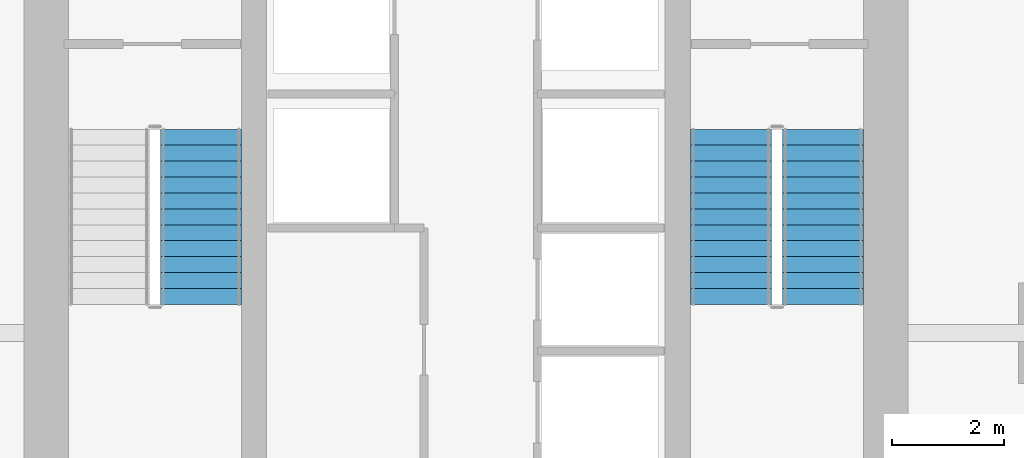
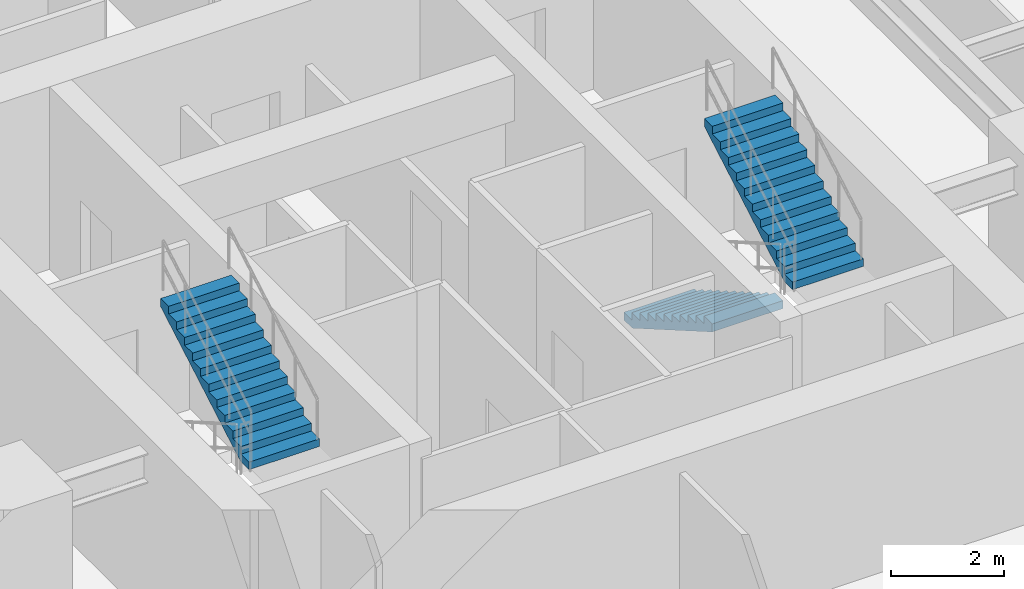
# One storey, part 23 of 25: 3 stair flights, 2 elements without a shape of their own.
"""IFC4 building model written with IfcOpenShell, lengths in metres."""

from ifc_helpers import new_model, si_unit, direction, frame, origin, place, context, subcontext, project, spatial, polyline, outline, extrude, material, type_object, element, aggregate, save


model = new_model("IFC4")

# Units and contexts
model_context = context("Model", 3, precision=1e-05, world=origin(), true_north=direction((0.0, 1.0)))
body_context = subcontext(model_context, "Body", "Model", "MODEL_VIEW")
ifc_project = project(units=[si_unit("LENGTHUNIT", "METRE"), si_unit("AREAUNIT", "SQUARE_METRE"), si_unit("VOLUMEUNIT", "CUBIC_METRE"), si_unit("PLANEANGLEUNIT", "RADIAN"), si_unit("MASSUNIT", "GRAM", prefix="KILO")], contexts=[model_context])

# Site, building, storey
site_placement = place(None, origin())
site = spatial("IfcSite", under=ifc_project, at=site_placement, CompositionType="ELEMENT")
building_placement = place(site_placement, origin())
building = spatial("IfcBuilding", under=site, at=building_placement, Name="Krantzveldt Concourse Tower", CompositionType="ELEMENT")
storey_placement = place(building_placement, frame((0.0, 0.0, 197.550048828125)))
storey = spatial("IfcBuildingStorey", under=building, at=storey_placement, Name="L48", CompositionType="ELEMENT", Elevation=197.550048828125)

# Stair, stair flight
ifc_material = material(Name="Precast concrete C40/50", Category="concrete")
stair_type = type_object("IfcStairType", Name="STR-CORE-DOGLEG", PredefinedType="HALF_TURN_STAIR", material=ifc_material)
stair_1_placement = place(storey_placement, origin())
stair_1 = element("IfcStair", 1, at=stair_1_placement, inside=storey, type_object=stair_type, Name="L48 Protected Escape Stair ST-1", PredefinedType="HALF_TURN_STAIR")
stair_flight_type = type_object("IfcStairFlightType", Name="STF-CORE-1450", PredefinedType="STRAIGHT", material=ifc_material)
stair_flight_1_placement = place(storey_placement, frame((31.2548828125, 16.4150390625, 1.974853515625), z_axis=(0.0, 0.0, 1.0), x_axis=(0.0, 1.0, 0.0)))
stair_flight_1 = element("IfcStairFlight", 2, at=stair_flight_1_placement, type_object=stair_flight_type, Name="ST-1 flight 2", NumberOfRisers=12, NumberOfTreads=11, PredefinedType="STRAIGHT", RiserHeight=0.164583333, TreadLength=0.285, context=body_context, shape_type="SweptSolid", body=[
    extrude(outline(polyline([(0.0, 0.0), (0.0, 0.16455078125), (0.284912109375, 0.16455078125), (0.284912109375, 0.3291015625), (0.570068359375, 0.3291015625), (0.570068359375, 0.49365234375), (0.85498046875, 0.49365234375), (0.85498046875, 0.658447265625), (1.139892578125, 0.658447265625), (1.139892578125, 0.822998046875), (1.425048828125, 0.822998046875), (1.425048828125, 0.987548828125), (1.7099609375, 0.987548828125), (1.7099609375, 1.152099609375), (1.9951171875, 1.152099609375), (1.9951171875, 1.316650390625), (2.280029296875, 1.316650390625), (2.280029296875, 1.481201171875), (2.56494140625, 1.481201171875), (2.56494140625, 1.645751953125), (2.85009765625, 1.645751953125), (2.85009765625, 1.810302734375), (3.135009765625, 1.810302734375), (3.135009765625, 1.97509765625), (3.135009765625, 1.63720703125), (0.2998046875, 0.0), (0.0, 0.0)])), frame((0.0, 0.72509765625, 0.0), z_axis=(0.0, -1.0, 0.0), x_axis=(1.0, 0.0, 0.0)), (0.0, 0.0, 1.0), 1.449951171875),
])
aggregate(stair_1, [stair_flight_1])

# Stair, stair flights
stair_2_placement = place(storey_placement, origin())
stair_2 = element("IfcStair", 3, at=stair_2_placement, inside=storey, type_object=stair_type, Name="L48 Protected Escape Stair ST-2", PredefinedType="HALF_TURN_STAIR")
stair_flight_2_placement = place(storey_placement, frame((40.7451171875, 19.550048828125, 0.0), z_axis=(0.0, 0.0, 1.0), x_axis=(0.0, -1.0, 0.0)))
stair_flight_2 = element("IfcStairFlight", 4, at=stair_flight_2_placement, type_object=stair_flight_type, Name="ST-2 flight 1", NumberOfRisers=12, NumberOfTreads=11, PredefinedType="STRAIGHT", RiserHeight=0.164583333, TreadLength=0.285, context=body_context, shape_type="SweptSolid", body=[
    extrude(outline(polyline([(0.0, 0.0), (0.0, 0.16455078125), (0.284912109375, 0.16455078125), (0.284912109375, 0.3291015625), (0.570068359375, 0.3291015625), (0.570068359375, 0.49365234375), (0.85498046875, 0.49365234375), (0.85498046875, 0.658447265625), (1.139892578125, 0.658447265625), (1.139892578125, 0.822998046875), (1.425048828125, 0.822998046875), (1.425048828125, 0.987548828125), (1.7099609375, 0.987548828125), (1.7099609375, 1.152099609375), (1.9951171875, 1.152099609375), (1.9951171875, 1.316650390625), (2.280029296875, 1.316650390625), (2.280029296875, 1.481201171875), (2.56494140625, 1.481201171875), (2.56494140625, 1.645751953125), (2.85009765625, 1.645751953125), (2.85009765625, 1.810302734375), (3.135009765625, 1.810302734375), (3.135009765625, 1.97509765625), (3.135009765625, 1.63720703125), (0.2998046875, 0.0), (0.0, 0.0)])), frame((0.0, 0.72509765625, 0.0), z_axis=(0.0, -1.0, 0.0), x_axis=(1.0, 0.0, 0.0)), (0.0, 0.0, 1.0), 1.449951171875),
])
stair_flight_3_placement = place(storey_placement, frame((42.39501953125, 16.4150390625, 1.974853515625), z_axis=(0.0, 0.0, 1.0), x_axis=(0.0, 1.0, 0.0)))
stair_flight_3 = element("IfcStairFlight", 5, at=stair_flight_3_placement, type_object=stair_flight_type, Name="ST-2 flight 2", NumberOfRisers=12, NumberOfTreads=11, PredefinedType="STRAIGHT", RiserHeight=0.164583333, TreadLength=0.285, context=body_context, shape_type="SweptSolid", body=[
    extrude(outline(polyline([(0.0, 0.0), (0.0, 0.16455078125), (0.284912109375, 0.16455078125), (0.284912109375, 0.3291015625), (0.570068359375, 0.3291015625), (0.570068359375, 0.49365234375), (0.85498046875, 0.49365234375), (0.85498046875, 0.658447265625), (1.139892578125, 0.658447265625), (1.139892578125, 0.822998046875), (1.425048828125, 0.822998046875), (1.425048828125, 0.987548828125), (1.7099609375, 0.987548828125), (1.7099609375, 1.152099609375), (1.9951171875, 1.152099609375), (1.9951171875, 1.316650390625), (2.280029296875, 1.316650390625), (2.280029296875, 1.481201171875), (2.56494140625, 1.481201171875), (2.56494140625, 1.645751953125), (2.85009765625, 1.645751953125), (2.85009765625, 1.810302734375), (3.135009765625, 1.810302734375), (3.135009765625, 1.97509765625), (3.135009765625, 1.63720703125), (0.2998046875, 0.0), (0.0, 0.0)])), frame((0.0, 0.72509765625, 0.0), z_axis=(0.0, -1.0, 0.0), x_axis=(1.0, 0.0, 0.0)), (0.0, 0.0, 1.0), 1.449951171875),
])
aggregate(stair_2, [stair_flight_2, stair_flight_3])

save(model, "model.ifc")
